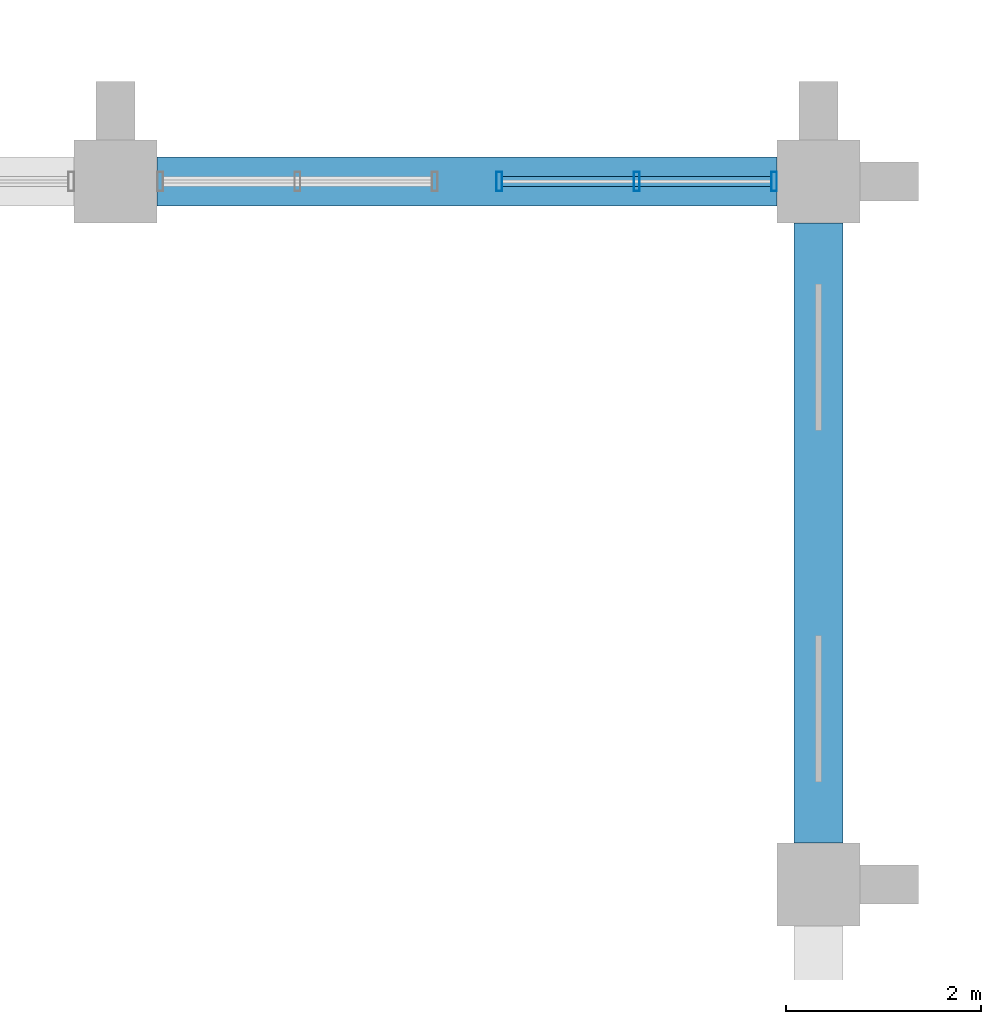
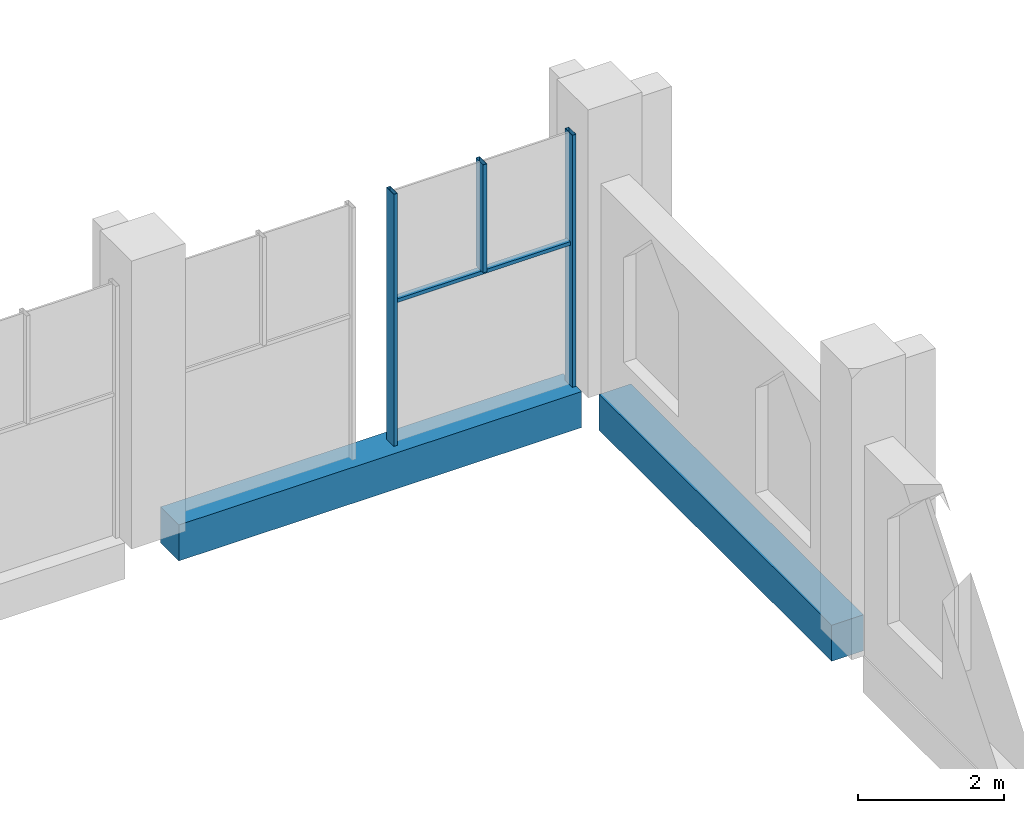
# One storey, part 14 of 40: 4 members, 2 beams, 1 element without a shape of its own.
"""IFC4 building model written with IfcOpenShell, lengths in metres."""

from ifc_helpers import new_model, si_unit, direction, frame, origin, origin_2d, place, context, subcontext, project, spatial, rectangle, hollow_rectangle, extrude, material, material_profile, profile_set, type_object, element, aggregate, save


model = new_model("IFC4")

# Units and contexts
model_context = context("Model", 3, precision=1e-05, world=origin(), true_north=direction((0.0, 1.0)))
body_context = subcontext(model_context, "Body", "Model", "MODEL_VIEW")
ifc_project = project(units=[si_unit("LENGTHUNIT", "METRE"), si_unit("AREAUNIT", "SQUARE_METRE"), si_unit("VOLUMEUNIT", "CUBIC_METRE"), si_unit("PLANEANGLEUNIT", "RADIAN"), si_unit("MASSUNIT", "GRAM", prefix="KILO")], contexts=[model_context])

# Site, building, storey
site_placement = place(None, origin())
site = spatial("IfcSite", under=ifc_project, at=site_placement, CompositionType="ELEMENT")
building_placement = place(site_placement, origin())
building = spatial("IfcBuilding", under=site, at=building_placement, Name="Silangan Lancet Faculty of Sciences", CompositionType="ELEMENT")
storey_placement = place(building_placement, frame((0.0, 0.0, 16.800048828125)))
storey = spatial("IfcBuildingStorey", under=building, at=storey_placement, Name="L03", CompositionType="ELEMENT", Elevation=16.800048828125)

# Beams
ifc_material_1 = material(Name="Concrete C40/50", Category="concrete")
ifc_material_profile_1 = material_profile(ifc_material_1, rectangle(XDim=0.5, YDim=0.60009765625, at=origin_2d()), Name="RC 500x600")
ifc_profile_set_1 = profile_set([ifc_material_profile_1], Name="Concrete C40/50")
beam_type = type_object("IfcBeamType", Name="BEAM RC 500x600", PredefinedType="BEAM", material=ifc_profile_set_1)
beam_1_placement = place(storey_placement, frame((43.625, 36.0, -0.300048828125), z_axis=(1.0, 0.0, 0.0), x_axis=(0.0, 1.0, 0.0)))
element("IfcBeam", 1, at=beam_1_placement, inside=storey, type_object=beam_type, Name="BM-L03-7F-8F", PredefinedType="BEAM", context=body_context, shape_type="SweptSolid", body=[
    extrude(rectangle(XDim=0.5, YDim=0.60009765625, at=origin_2d()), origin(), (0.0, 0.0, 1.0), 6.35009765625),
])
beam_2_placement = place(storey_placement, frame((50.39990234375, 29.22509765625, -0.300048828125), z_axis=(0.0, 1.0, 0.0), x_axis=(-1.0, 0.0, 0.0)))
element("IfcBeam", 2, at=beam_2_placement, inside=storey, type_object=beam_type, Name="BM-L03-8E-8F", PredefinedType="BEAM", context=body_context, shape_type="SweptSolid", body=[
    extrude(rectangle(XDim=0.5, YDim=0.60009765625, at=origin_2d()), origin(), (0.0, 0.0, 1.0), 6.349853515625),
])

# Curtain wall, members
ifc_material_2 = material(Name="Aluminium framed curtain wall with insulated glass", Category="aluminium")
curtain_wall_type = type_object("IfcCurtainWallType", Name="CW5 Nave north light glazing", PredefinedType="NOTDEFINED", material=ifc_material_2)
curtain_wall_placement = place(storey_placement, origin())
curtain_wall = element("IfcCurtainWall", 3, at=curtain_wall_placement, inside=storey, type_object=curtain_wall_type, Name="CW5 Nave north lights L03 bay 1", PredefinedType="NOTDEFINED")
ifc_material_3 = material(Name="Aluminium 6063-T6 extrusion", Category="aluminium")
ifc_material_profile_2 = material_profile(ifc_material_3, hollow_rectangle(XDim=0.06005859375, YDim=0.199951171875, WallThickness=0.00390625, at=origin_2d()), Name="AL BOX 60x200x4")
ifc_profile_set_2 = profile_set([ifc_material_profile_2], Name="Aluminium 6063-T6 extrusion")
member_type_1 = type_object("IfcMemberType", Name="CM1 Mullion 60x200", PredefinedType="MULLION", material=ifc_profile_set_2)
member_1_placement = place(storey_placement, frame((49.945068359375, 36.0, 0.0), z_axis=(0.0, 0.0, 1.0), x_axis=(-1.0, 0.0, 0.0)))
member_1 = element("IfcMember", 4, at=member_1_placement, type_object=member_type_1, Name="CW5 Nave north lights L03 bay 1 mullion 1", PredefinedType="MULLION", context=body_context, shape_type="SweptSolid", body=[
    extrude(hollow_rectangle(XDim=0.06005859375, YDim=0.199951171875, WallThickness=0.00390625, at=origin_2d()), origin(), (0.0, 0.0, 1.0), 4.199951171875),
])
member_2_placement = place(storey_placement, frame((47.1298828125, 36.0, 0.0), z_axis=(0.0, 0.0, 1.0), x_axis=(-1.0, 0.0, 0.0)))
member_2 = element("IfcMember", 5, at=member_2_placement, type_object=member_type_1, Name="CW5 Nave north lights L03 bay 1 mullion 2", PredefinedType="MULLION", context=body_context, shape_type="SweptSolid", body=[
    extrude(hollow_rectangle(XDim=0.06005859375, YDim=0.199951171875, WallThickness=0.00390625, at=origin_2d()), origin(), (0.0, 0.0, 1.0), 4.199951171875),
])
member_3_placement = place(storey_placement, frame((48.53759765625, 36.0, 2.39990234375), z_axis=(0.0, 0.0, 1.0), x_axis=(-1.0, 0.0, 0.0)))
member_3 = element("IfcMember", 6, at=member_3_placement, type_object=member_type_1, Name="CW5 Nave north lights L03 bay 1 mullion 3", PredefinedType="MULLION", context=body_context, shape_type="SweptSolid", body=[
    extrude(hollow_rectangle(XDim=0.06005859375, YDim=0.199951171875, WallThickness=0.00390625, at=origin_2d()), origin(), (0.0, 0.0, 1.0), 1.800048828125),
])
ifc_material_4 = material(Name="Aluminium 6063-T6 extrusion", Category="aluminium")
ifc_material_profile_3 = material_profile(ifc_material_4, hollow_rectangle(XDim=0.10009765625, YDim=0.06005859375, WallThickness=0.0029296875, at=origin_2d()), Name="AL BOX 100x60x3")
ifc_profile_set_3 = profile_set([ifc_material_profile_3], Name="Aluminium 6063-T6 extrusion")
member_type_2 = type_object("IfcMemberType", Name="CT1 Transom 100x60", PredefinedType="USERDEFINED", material=ifc_profile_set_3)
member_4_placement = place(storey_placement, frame((49.9150390625, 36.0, 2.369873046875), z_axis=(-1.0, 0.0, 0.0), x_axis=(0.0, -1.0, 0.0)))
member_4 = element("IfcMember", 7, at=member_4_placement, type_object=member_type_2, Name="CW5 Nave north lights L03 bay 1 transom 1", ObjectType="TRANSOM", PredefinedType="USERDEFINED", context=body_context, shape_type="SweptSolid", body=[
    extrude(hollow_rectangle(XDim=0.10009765625, YDim=0.06005859375, WallThickness=0.0029296875, at=origin_2d()), origin(), (0.0, 0.0, 1.0), 2.755126953125),
])
aggregate(curtain_wall, [member_1, member_2, member_3, member_4])

save(model, "model.ifc")
